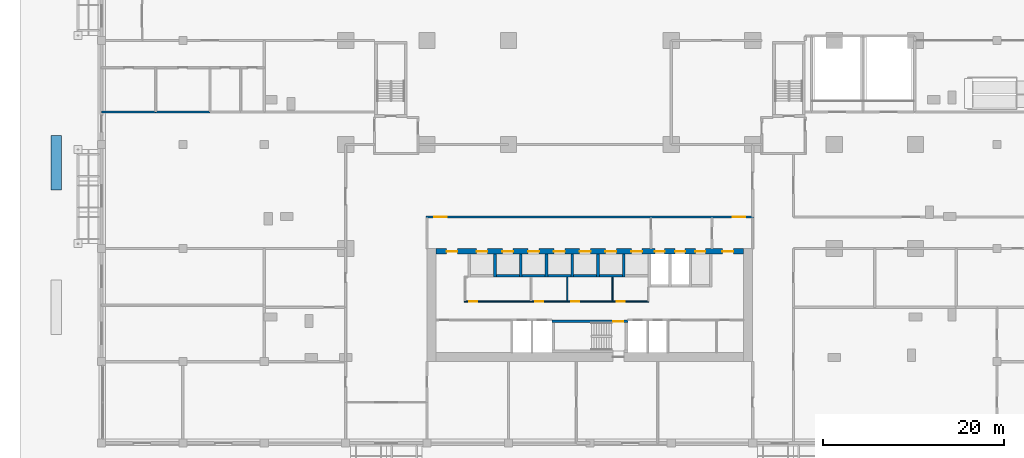
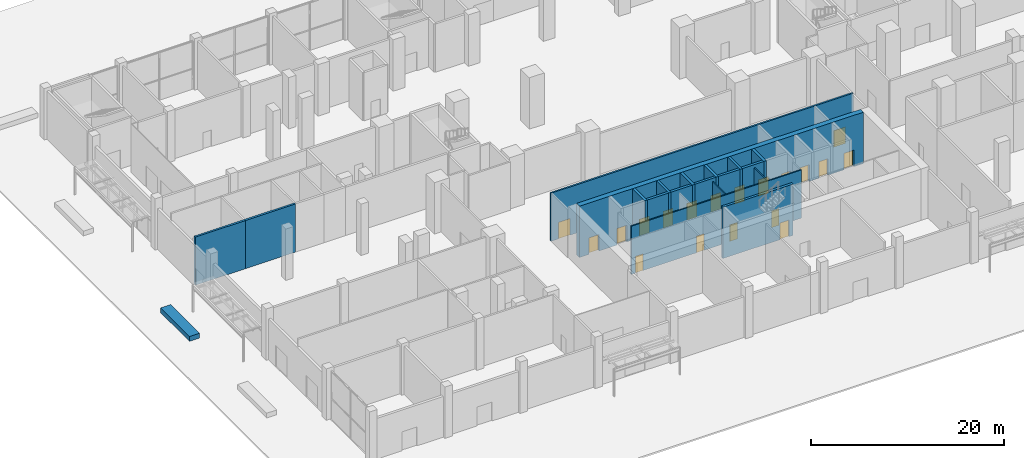
# One storey, part 30 of 39: 20 walls, 19 doors, 19 openings.
"""IFC4 building model written with IfcOpenShell, lengths in metres."""

import ifcopenshell
import ifcopenshell.guid

model = None  # the IFC model being written
_history = None  # IfcOwnerHistory: only IFC2X3 demands one
_inside = {}  # id of a spatial element -> (the spatial element, [elements in it])
_under = {}  # id of a project, library or spatial element -> (it, [spatial elements below it])
_declared = {}  # id of a project -> (the project, [libraries it declares])
_typed = {}  # id of a type object -> (the type object, [elements of that type])
_made_of = {}  # id of a material, layer set ... -> (it, [elements and type objects made of it])


def new_model(schema):
    """Start an empty IFC model of exactly this schema.

    Asked for "IFC4X3", IfcOpenShell would pick the latest addendum, in which some entities
    have other attributes; the version numbers below select the first issue.
    IFC2X3 requires an IfcOwnerHistory on every rooted entity: one is made here for all.
    """
    global model, _history
    if schema == "IFC4X3":
        model = ifcopenshell.file(schema_version=(4, 3, 0, 0))
    else:
        model = ifcopenshell.file(schema=schema)
    _inside.clear()
    _under.clear()
    _declared.clear()
    _typed.clear()
    _made_of.clear()
    _history = None
    if model.schema == "IFC2X3":
        org = make("IfcOrganization", Name="unknown")
        user = make(
            "IfcPersonAndOrganization",
            ThePerson=make("IfcPerson", FamilyName="unknown"),
            TheOrganization=org,
        )
        app = make(
            "IfcApplication",
            ApplicationDeveloper=org,
            Version="unknown",
            ApplicationFullName="unknown",
            ApplicationIdentifier="unknown",
        )
        _history = make(
            "IfcOwnerHistory",
            OwningUser=user,
            OwningApplication=app,
            ChangeAction="ADDED",
            CreationDate=0,
        )
    return model


def make(cls, **values):
    """One entity of the class cls with the attributes given. An attribute that is None is left unset."""
    return model.create_entity(
        cls, **{name: value for name, value in values.items() if value is not None}
    )


def rooted(cls, **values):
    """An entity with a GlobalId (a new one), such as an element, a storey or a relation."""
    return make(cls, GlobalId=ifcopenshell.guid.new(), OwnerHistory=_history, **values)


def si_unit(unit_type, name, prefix=None):
    """IfcSIUnit, for example si_unit("LENGTHUNIT", "METRE", prefix="MILLI")."""
    return make("IfcSIUnit", UnitType=unit_type, Prefix=prefix, Name=name)


def assignment(units):
    """IfcUnitAssignment: the units of a project."""
    return None if units is None else make("IfcUnitAssignment", Units=units)


def point(xyz):
    """IfcCartesianPoint."""
    return None if xyz is None else make("IfcCartesianPoint", Coordinates=xyz)


def direction(xyz):
    """IfcDirection."""
    return None if xyz is None else make("IfcDirection", DirectionRatios=xyz)


def frame(location, z_axis=None, x_axis=None):
    """IfcAxis2Placement3D, a coordinate frame: its origin and axes. An axis left out is left unset."""
    return make(
        "IfcAxis2Placement3D",
        Location=point(location),
        Axis=direction(z_axis),
        RefDirection=direction(x_axis),
    )


def frame_2d(location, x_axis=None):
    """IfcAxis2Placement2D, a coordinate frame in the plane: its origin and x axis."""
    return make(
        "IfcAxis2Placement2D", Location=point(location), RefDirection=direction(x_axis)
    )


def origin():
    """The frame at (0, 0, 0) with its axes left unset."""
    return frame((0.0, 0.0, 0.0))


def place(relative_to, where):
    """IfcLocalPlacement: puts the frame where relative to a parent placement (None: the world)."""
    return make(
        "IfcLocalPlacement", PlacementRelTo=relative_to, RelativePlacement=where
    )


def context(
    kind, dimensions, precision=None, world=None, true_north=None, identifier=None
):
    """IfcGeometricRepresentationContext, for example the 3D "Model" context."""
    return make(
        "IfcGeometricRepresentationContext",
        ContextIdentifier=identifier,
        ContextType=kind,
        CoordinateSpaceDimension=dimensions,
        Precision=precision,
        WorldCoordinateSystem=world,
        TrueNorth=true_north,
    )


def subcontext(parent, identifier, kind, view, scale=None):
    """IfcGeometricRepresentationSubContext, for example "Body" below "Model"."""
    return make(
        "IfcGeometricRepresentationSubContext",
        ContextIdentifier=identifier,
        ContextType=kind,
        ParentContext=parent,
        TargetScale=scale,
        TargetView=view,
    )


def project(units=None, contexts=None):
    """IfcProject with its units and contexts."""
    return rooted(
        "IfcProject",
        Name="project",
        RepresentationContexts=contexts,
        UnitsInContext=assignment(units),
    )


def spatial(cls, under=None, at=None, **own):
    """A site, building, storey or space (cls), placed at a placement, below another one or the project."""
    s = rooted(cls, ObjectPlacement=at, **own)
    if under is not None:
        _under.setdefault(under.id(), (under, []))[1].append(s)
    return s


def profile(cls, at=None, kind="AREA", **sizes):
    """A parametric profile (cls). Its sizes go by their IFC names, for example OverallWidth=200.0."""
    return make(cls, ProfileType=kind, Position=at, **sizes)


def rectangle(**sizes):
    """IfcRectangleProfileDef."""
    return profile("IfcRectangleProfileDef", **sizes)


def extrude(swept, where, along, depth):
    """IfcExtrudedAreaSolid: the profile swept, set in the frame where, extruded along a direction by depth."""
    return make(
        "IfcExtrudedAreaSolid",
        SweptArea=swept,
        Position=where,
        ExtrudedDirection=direction(along),
        Depth=depth,
    )


def shape(context_of_items, identifier, shape_type, items):
    """IfcShapeRepresentation: the items that make up one representation, for example the "Body"."""
    return make(
        "IfcShapeRepresentation",
        ContextOfItems=context_of_items,
        RepresentationIdentifier=identifier,
        RepresentationType=shape_type,
        Items=items,
    )


def material(Name=None, Category=None):
    """IfcMaterial."""
    return make("IfcMaterial", Name=Name, Category=Category)


def layer(
    of_material, thickness, ventilated=None, Name=None, Category=None, Priority=None
):
    """IfcMaterialLayer: one layer of a wall or slab, of a material (None: an air gap)."""
    return make(
        "IfcMaterialLayer",
        Material=of_material,
        LayerThickness=thickness,
        IsVentilated=ventilated,
        Name=Name,
        Category=Category,
        Priority=Priority,
    )


def layer_set(layers, Name=None):
    """IfcMaterialLayerSet."""
    return make("IfcMaterialLayerSet", MaterialLayers=layers, LayerSetName=Name)


def made_of(thing, what):
    """Note that an element or type object is made of a material, layer set ...; save() writes the relation."""
    if what is not None:
        _made_of.setdefault(what.id(), (what, []))[1].append(thing)
    return thing


def type_object(cls, material=None, **own):
    """A type object (cls), such as IfcWallType, which elements share."""
    return made_of(rooted(cls, **own), material)


def element(
    cls,
    number,
    at=None,
    inside=None,
    cuts=None,
    type_object=None,
    material=None,
    context=None,
    identifier="Body",
    shape_type=None,
    held_by="IfcProductDefinitionShape",
    body=None,
    shapes=None,
    **own,
):
    """One element of the class cls, such as IfcWall. Its Tag is "e" and its number.

    at: its placement. inside: the storey or other place that contains it. cuts: it is an
    opening in that element (IfcRelVoidsElement). A single representation is given by context,
    identifier, shape_type and body (its items); several are given by shapes. held_by: the class
    of the entity that holds the representations. save() writes the other relations.
    """
    e = rooted(cls, Tag="e%d" % number, ObjectPlacement=at, **own)
    if body is not None:
        shapes = [shape(context, identifier, shape_type, body)]
    if shapes is not None:
        e.Representation = make(held_by, Representations=shapes)
    if inside is not None:
        _inside.setdefault(inside.id(), (inside, []))[1].append(e)
    if cuts is not None:
        rooted(
            "IfcRelVoidsElement", RelatingBuildingElement=cuts, RelatedOpeningElement=e
        )
    if type_object is not None:
        _typed.setdefault(type_object.id(), (type_object, []))[1].append(e)
    return made_of(e, material)


def fill(opening, filler):
    """IfcRelFillsElement: the door or window that sits in an opening."""
    return rooted(
        "IfcRelFillsElement",
        RelatingOpeningElement=opening,
        RelatedBuildingElement=filler,
    )


def aggregate(whole, parts):
    """IfcRelAggregates: a whole, such as a stair, and the parts it consists of."""
    return rooted("IfcRelAggregates", RelatingObject=whole, RelatedObjects=parts)


def save(model, path):
    """Write the relations noted so far, then the file.

    IfcRelAggregates (storeys below a building ...), IfcRelContainedInSpatialStructure (elements
    in a storey), IfcRelDefinesByType, IfcRelAssociatesMaterial and IfcRelDeclares: one each for
    every whole, place, type object, material and project.
    """
    for whole, parts in _under.values():
        aggregate(whole, parts)
    for where, things in _inside.values():
        rooted(
            "IfcRelContainedInSpatialStructure",
            RelatedElements=things,
            RelatingStructure=where,
        )
    for kind, things in _typed.values():
        rooted("IfcRelDefinesByType", RelatedObjects=things, RelatingType=kind)
    for what, things in _made_of.values():
        rooted("IfcRelAssociatesMaterial", RelatedObjects=things, RelatingMaterial=what)
    for by, libraries in _declared.values():
        rooted("IfcRelDeclares", RelatingContext=by, RelatedDefinitions=libraries)
    model.write(path)


model = new_model("IFC4")

# Units and contexts
model_context = context("Model", 3, precision=1e-05, world=origin(), true_north=direction((0.0, 1.0)))
body_context = subcontext(model_context, "Body", "Model", "MODEL_VIEW")
ifc_project = project(units=[si_unit("LENGTHUNIT", "METRE"), si_unit("AREAUNIT", "SQUARE_METRE"), si_unit("VOLUMEUNIT", "CUBIC_METRE"), si_unit("PLANEANGLEUNIT", "RADIAN"), si_unit("MASSUNIT", "GRAM", prefix="KILO")], contexts=[model_context])

# Site, building, storey
site_placement = place(None, origin())
site = spatial("IfcSite", under=ifc_project, at=site_placement, CompositionType="ELEMENT")
building_placement = place(site_placement, origin())
building = spatial("IfcBuilding", under=site, at=building_placement, Name="Brigalow Station Residences", CompositionType="ELEMENT")
storey_placement = place(building_placement, origin())
storey = spatial("IfcBuildingStorey", under=building, at=storey_placement, Name="L00", CompositionType="ELEMENT", Elevation=0.0)

# Walls
ifc_material_1 = material(Name="Concrete C80", Category="concrete")
ifc_layer_1 = layer(ifc_material_1, 0.300048828125)
ifc_layer_set_1 = layer_set([ifc_layer_1], Name="CORE SHEAR WALL 300 C80")
wall_type_1 = type_object("IfcWallType", Name="CORE SHEAR WALL 300 C80", PredefinedType="SHEAR", material=ifc_layer_set_1)
wall_1_placement = place(storey_placement, frame((25.64990234375, 9.5, 0.0), z_axis=(0.0, 0.0, 1.0), x_axis=(1.0, 0.0, 0.0)))
element("IfcWall", 1, at=wall_1_placement, inside=storey, type_object=wall_type_1, Name="CORE WALL SH-P2-S L00", PredefinedType="SHEAR", context=body_context, shape_type="SweptSolid", body=[
    extrude(rectangle(XDim=2.550048828125, YDim=0.300048828125, at=frame_2d((1.27490234375, 0.0))), origin(), (0.0, 0.0, 1.0), 6.5),
])
wall_2_placement = place(storey_placement, frame((25.5, 9.35009765625, 0.0), z_axis=(0.0, 0.0, 1.0), x_axis=(0.0, 1.0, 0.0)))
element("IfcWall", 2, at=wall_2_placement, inside=storey, type_object=wall_type_1, Name="CORE WALL SH-P2-W L00", PredefinedType="SHEAR", context=body_context, shape_type="SweptSolid", body=[
    extrude(rectangle(XDim=2.5498046875, YDim=0.300048828125, at=frame_2d((1.27490234375, 0.0))), origin(), (0.0, 0.0, 1.0), 6.5),
])
wall_3_placement = place(storey_placement, frame((28.5, 9.5, 0.0), z_axis=(0.0, 0.0, 1.0), x_axis=(1.0, 0.0, 0.0)))
element("IfcWall", 3, at=wall_3_placement, inside=storey, type_object=wall_type_1, Name="CORE WALL SH-P3-S L00", PredefinedType="SHEAR", context=body_context, shape_type="SweptSolid", body=[
    extrude(rectangle(XDim=2.550048828125, YDim=0.300048828125, at=frame_2d((1.27490234375, 0.0))), origin(), (0.0, 0.0, 1.0), 6.5),
])
for number, where, z_axis, x_axis, name in (
    (4, (28.35009765625, 9.35009765625, 0.0), (0.0, 0.0, 1.0), (0.0, 1.0, 0.0), "CORE WALL SH-P3-W L00"),
    (5, (31.35009765625, 9.5, 0.0), (0.0, 0.0, 1.0), (1.0, 0.0, 0.0), "CORE WALL SH-P4-S L00"),
    (6, (31.199951171875, 9.35009765625, 0.0), (0.0, 0.0, 1.0), (0.0, 1.0, 0.0), "CORE WALL SH-P4-W L00"),
):
    element("IfcWall", number, at=place(storey_placement, frame(where, z_axis=z_axis, x_axis=x_axis)), inside=storey, type_object=wall_type_1, Name=name, PredefinedType="SHEAR", context=body_context, shape_type="SweptSolid", body=[
        extrude(rectangle(XDim=2.5498046875, YDim=0.300048828125, at=frame_2d((1.27490234375, 0.0))), origin(), (0.0, 0.0, 1.0), 6.5),
    ])
wall_4_placement = place(storey_placement, frame((34.199951171875, 9.5, 0.0), z_axis=(0.0, 0.0, 1.0), x_axis=(1.0, 0.0, 0.0)))
element("IfcWall", 7, at=wall_4_placement, inside=storey, type_object=wall_type_1, Name="CORE WALL SH-P5-S L00", PredefinedType="SHEAR", context=body_context, shape_type="SweptSolid", body=[
    extrude(rectangle(XDim=2.550048828125, YDim=0.300048828125, at=frame_2d((1.27490234375, 0.0))), origin(), (0.0, 0.0, 1.0), 6.5),
])
wall_5_placement = place(storey_placement, frame((34.050048828125, 9.35009765625, 0.0), z_axis=(0.0, 0.0, 1.0), x_axis=(0.0, 1.0, 0.0)))
element("IfcWall", 8, at=wall_5_placement, inside=storey, type_object=wall_type_1, Name="CORE WALL SH-P5-W L00", PredefinedType="SHEAR", context=body_context, shape_type="SweptSolid", body=[
    extrude(rectangle(XDim=2.5498046875, YDim=0.300048828125, at=frame_2d((1.27490234375, 0.0))), origin(), (0.0, 0.0, 1.0), 6.5),
])
wall_6_placement = place(storey_placement, frame((37.050048828125, 9.5, 0.0), z_axis=(0.0, 0.0, 1.0), x_axis=(1.0, 0.0, 0.0)))
element("IfcWall", 9, at=wall_6_placement, inside=storey, type_object=wall_type_1, Name="CORE WALL SH-X1-S L00", PredefinedType="SHEAR", context=body_context, shape_type="SweptSolid", body=[
    extrude(rectangle(XDim=2.550048828125, YDim=0.300048828125, at=frame_2d((1.27490234375, 0.0))), origin(), (0.0, 0.0, 1.0), 6.5),
])
for number, where, z_axis, x_axis, name in (
    (10, (36.89990234375, 9.35009765625, 0.0), (0.0, 0.0, 1.0), (0.0, 1.0, 0.0), "CORE WALL SH-X1-W L00"),
    (11, (39.75, 9.35009765625, 0.0), (0.0, 0.0, 1.0), (0.0, 1.0, 0.0), "CORE WALL SH-X2-W L00"),
):
    element("IfcWall", number, at=place(storey_placement, frame(where, z_axis=z_axis, x_axis=x_axis)), inside=storey, type_object=wall_type_1, Name=name, PredefinedType="SHEAR", context=body_context, shape_type="SweptSolid", body=[
        extrude(rectangle(XDim=2.5498046875, YDim=0.300048828125, at=frame_2d((1.27490234375, 0.0))), origin(), (0.0, 0.0, 1.0), 6.5),
    ])

# Wall, opening, door
wall_7_placement = place(storey_placement, frame((31.800048828125, 4.449951171875, 0.0), z_axis=(0.0, 0.0, 1.0), x_axis=(1.0, 0.0, 0.0)))
wall_7 = element("IfcWall", 12, at=wall_7_placement, inside=storey, type_object=wall_type_1, Name="CORE WALL ST-S2-N L00", PredefinedType="SHEAR", context=body_context, shape_type="SweptSolid", body=[
    extrude(rectangle(XDim=8.39990234375, YDim=0.300048828125, at=frame_2d((4.199951171875, 0.0))), origin(), (0.0, 0.0, 1.0), 6.5),
])
opening_1_placement = place(wall_7_placement, frame((6.800048828125, 0.0, 0.0)))
opening_1 = element("IfcOpeningElement", 13, at=opening_1_placement, cuts=wall_7, Name="Opening D-5001", PredefinedType="OPENING", context=body_context, shape_type="SweptSolid", body=[
    extrude(rectangle(XDim=1.10009765625, YDim=2.10009765625, at=frame_2d((0.550048828125, 1.050048828125))), frame((0.0, 0.16015625, 0.0), z_axis=(0.0, -1.0, 0.0), x_axis=(1.0, 0.0, 0.0)), (0.0, 0.0, 1.0), 0.320068359375),
])
ifc_material_2 = material(Name="Steel fire door leaf in steel frame", Category="steel")
door_type_1 = type_object("IfcDoorType", Name="STAIR DOOR 1100 x 2100 FD60S", OperationType="SINGLE_SWING_LEFT", PredefinedType="DOOR", material=ifc_material_2)
door_1_placement = place(opening_1_placement, frame((1.10009765625, 0.0, 0.0), z_axis=(0.0, 0.0, 1.0), x_axis=(-1.0, 0.0, 0.0)))
door_1 = element("IfcDoor", 14, at=door_1_placement, inside=storey, type_object=door_type_1, Name="D-5001", OperationType="SINGLE_SWING_LEFT", OverallHeight=2.10009765625, OverallWidth=1.10009765625, PredefinedType="DOOR", context=body_context, shape_type="SweptSolid", body=[
    extrude(rectangle(XDim=1.10009765625, YDim=2.10009765625, at=frame_2d((0.550048828125, 1.050048828125))), frame((0.0, 0.02490234375, 0.0), z_axis=(0.0, -1.0, 0.0), x_axis=(1.0, 0.0, 0.0)), (0.0, 0.0, 1.0), 0.050048828125),
])
fill(opening_1, door_1)

# Wall, openings, doors
ifc_material_3 = material(Name="Concrete C80", Category="concrete")
ifc_layer_2 = layer(ifc_material_3, 0.60009765625)
ifc_layer_set_2 = layer_set([ifc_layer_2], Name="CORE SHEAR WALL 600 C80")
wall_type_2 = type_object("IfcWallType", Name="CORE SHEAR WALL 600 C80", PredefinedType="SHEAR", material=ifc_layer_set_2)
wall_8_placement = place(storey_placement, frame((19.0, 12.199951171875, 0.0), z_axis=(0.0, 0.0, 1.0), x_axis=(1.0, 0.0, 0.0)))
wall_8 = element("IfcWall", 15, at=wall_8_placement, inside=storey, type_object=wall_type_2, Name="CORE WALL OUT-N L00", PredefinedType="SHEAR", context=body_context, shape_type="SweptSolid", body=[
    extrude(rectangle(XDim=34.0, YDim=0.60009765625, at=frame_2d((17.0, 0.0))), origin(), (0.0, 0.0, 1.0), 6.5),
])
opening_2_placement = place(wall_8_placement, frame((4.47509765625, 0.0, 0.0)))
opening_2 = element("IfcOpeningElement", 16, at=opening_2_placement, cuts=wall_8, Name="Opening LD-LA1", PredefinedType="OPENING", context=body_context, shape_type="SweptSolid", body=[
    extrude(rectangle(XDim=1.199951171875, YDim=2.10009765625, at=frame_2d((0.60009765625, 1.050048828125))), frame((0.0, 0.31005859375, 0.0), z_axis=(0.0, -1.0, 0.0), x_axis=(1.0, 0.0, 0.0)), (0.0, 0.0, 1.0), 0.6201171875),
])
opening_3_placement = place(wall_8_placement, frame((7.324951171875, 0.0, 0.0)))
opening_3 = element("IfcOpeningElement", 17, at=opening_3_placement, cuts=wall_8, Name="Opening LD-LA2", PredefinedType="OPENING", context=body_context, shape_type="SweptSolid", body=[
    extrude(rectangle(XDim=1.199951171875, YDim=2.10009765625, at=frame_2d((0.60009765625, 1.050048828125))), frame((0.0, 0.31005859375, 0.0), z_axis=(0.0, -1.0, 0.0), x_axis=(1.0, 0.0, 0.0)), (0.0, 0.0, 1.0), 0.6201171875),
])
opening_4_placement = place(wall_8_placement, frame((10.175048828125, 0.0, 0.0)))
opening_4 = element("IfcOpeningElement", 18, at=opening_4_placement, cuts=wall_8, Name="Opening LD-LA3", PredefinedType="OPENING", context=body_context, shape_type="SweptSolid", body=[
    extrude(rectangle(XDim=1.199951171875, YDim=2.10009765625, at=frame_2d((0.60009765625, 1.050048828125))), frame((0.0, 0.31005859375, 0.0), z_axis=(0.0, -1.0, 0.0), x_axis=(1.0, 0.0, 0.0)), (0.0, 0.0, 1.0), 0.6201171875),
])
opening_5_placement = place(wall_8_placement, frame((13.02490234375, 0.0, 0.0)))
opening_5 = element("IfcOpeningElement", 19, at=opening_5_placement, cuts=wall_8, Name="Opening LD-LA4", PredefinedType="OPENING", context=body_context, shape_type="SweptSolid", body=[
    extrude(rectangle(XDim=1.199951171875, YDim=2.10009765625, at=frame_2d((0.60009765625, 1.050048828125))), frame((0.0, 0.31005859375, 0.0), z_axis=(0.0, -1.0, 0.0), x_axis=(1.0, 0.0, 0.0)), (0.0, 0.0, 1.0), 0.6201171875),
])
opening_6_placement = place(wall_8_placement, frame((15.875, 0.0, 0.0)))
opening_6 = element("IfcOpeningElement", 20, at=opening_6_placement, cuts=wall_8, Name="Opening LD-LA5", PredefinedType="OPENING", context=body_context, shape_type="SweptSolid", body=[
    extrude(rectangle(XDim=1.199951171875, YDim=2.10009765625, at=frame_2d((0.60009765625, 1.050048828125))), frame((0.0, 0.31005859375, 0.0), z_axis=(0.0, -1.0, 0.0), x_axis=(1.0, 0.0, 0.0)), (0.0, 0.0, 1.0), 0.6201171875),
])
opening_7_placement = place(wall_8_placement, frame((18.72509765625, 0.0, 0.0)))
opening_7 = element("IfcOpeningElement", 21, at=opening_7_placement, cuts=wall_8, Name="Opening LD-LS1", PredefinedType="OPENING", context=body_context, shape_type="SweptSolid", body=[
    extrude(rectangle(XDim=1.199951171875, YDim=2.10009765625, at=frame_2d((0.60009765625, 1.050048828125))), frame((0.0, 0.31005859375, 0.0), z_axis=(0.0, -1.0, 0.0), x_axis=(1.0, 0.0, 0.0)), (0.0, 0.0, 1.0), 0.6201171875),
])
opening_8_placement = place(wall_8_placement, frame((21.574951171875, 0.0, 0.0)))
opening_8 = element("IfcOpeningElement", 22, at=opening_8_placement, cuts=wall_8, Name="Opening LD-LS2", PredefinedType="OPENING", context=body_context, shape_type="SweptSolid", body=[
    extrude(rectangle(XDim=1.199951171875, YDim=2.10009765625, at=frame_2d((0.60009765625, 1.050048828125))), frame((0.0, 0.31005859375, 0.0), z_axis=(0.0, -1.0, 0.0), x_axis=(1.0, 0.0, 0.0)), (0.0, 0.0, 1.0), 0.6201171875),
])
opening_9_placement = place(wall_8_placement, frame((24.175048828125, 0.0, 0.0)))
opening_9 = element("IfcOpeningElement", 23, at=opening_9_placement, cuts=wall_8, Name="Opening LD-LF1", PredefinedType="OPENING", context=body_context, shape_type="SweptSolid", body=[
    extrude(rectangle(XDim=1.10009765625, YDim=2.10009765625, at=frame_2d((0.550048828125, 1.050048828125))), frame((0.0, 0.31005859375, 0.0), z_axis=(0.0, -1.0, 0.0), x_axis=(1.0, 0.0, 0.0)), (0.0, 0.0, 1.0), 0.6201171875),
])
opening_10_placement = place(wall_8_placement, frame((26.425048828125, 0.0, 0.0)))
opening_10 = element("IfcOpeningElement", 24, at=opening_10_placement, cuts=wall_8, Name="Opening LD-LF2", PredefinedType="OPENING", context=body_context, shape_type="SweptSolid", body=[
    extrude(rectangle(XDim=1.10009765625, YDim=2.10009765625, at=frame_2d((0.550048828125, 1.050048828125))), frame((0.0, 0.31005859375, 0.0), z_axis=(0.0, -1.0, 0.0), x_axis=(1.0, 0.0, 0.0)), (0.0, 0.0, 1.0), 0.6201171875),
])
opening_11_placement = place(wall_8_placement, frame((28.675048828125, 0.0, 0.0)))
opening_11 = element("IfcOpeningElement", 25, at=opening_11_placement, cuts=wall_8, Name="Opening LD-LG1", PredefinedType="OPENING", context=body_context, shape_type="SweptSolid", body=[
    extrude(rectangle(XDim=1.10009765625, YDim=2.10009765625, at=frame_2d((0.550048828125, 1.050048828125))), frame((0.0, 0.31005859375, 0.0), z_axis=(0.0, -1.0, 0.0), x_axis=(1.0, 0.0, 0.0)), (0.0, 0.0, 1.0), 0.6201171875),
])
opening_12_placement = place(wall_8_placement, frame((1.14990234375, 0.0, 0.0)))
opening_12 = element("IfcOpeningElement", 26, at=opening_12_placement, cuts=wall_8, Name="Opening D-5011", PredefinedType="OPENING", context=body_context, shape_type="SweptSolid", body=[
    extrude(rectangle(XDim=1.199951171875, YDim=2.10009765625, at=frame_2d((0.60009765625, 1.050048828125))), frame((0.0, 0.31005859375, 0.0), z_axis=(0.0, -1.0, 0.0), x_axis=(1.0, 0.0, 0.0)), (0.0, 0.0, 1.0), 0.6201171875),
])
opening_13_placement = place(wall_8_placement, frame((31.64990234375, 0.0, 0.0)))
opening_13 = element("IfcOpeningElement", 27, at=opening_13_placement, cuts=wall_8, Name="Opening D-5012", PredefinedType="OPENING", context=body_context, shape_type="SweptSolid", body=[
    extrude(rectangle(XDim=1.199951171875, YDim=2.10009765625, at=frame_2d((0.60009765625, 1.050048828125))), frame((0.0, 0.31005859375, 0.0), z_axis=(0.0, -1.0, 0.0), x_axis=(1.0, 0.0, 0.0)), (0.0, 0.0, 1.0), 0.6201171875),
])
ifc_material_4 = material(Name="Steel fire door leaf in steel frame", Category="steel")
door_type_2 = type_object("IfcDoorType", Name="CORE CORRIDOR DOOR 1200 x 2100 FD60S", OperationType="SINGLE_SWING_LEFT", PredefinedType="DOOR", material=ifc_material_4)
door_2_placement = place(opening_12_placement, frame((1.199951171875, 0.0, 0.0), z_axis=(0.0, 0.0, 1.0), x_axis=(-1.0, 0.0, 0.0)))
door_2 = element("IfcDoor", 28, at=door_2_placement, inside=storey, type_object=door_type_2, Name="D-5011", OperationType="SINGLE_SWING_LEFT", OverallHeight=2.10009765625, OverallWidth=1.199951171875, PredefinedType="DOOR", context=body_context, shape_type="SweptSolid", body=[
    extrude(rectangle(XDim=1.199951171875, YDim=2.10009765625, at=frame_2d((0.60009765625, 1.050048828125))), frame((0.0, 0.02490234375, 0.0), z_axis=(0.0, -1.0, 0.0), x_axis=(1.0, 0.0, 0.0)), (0.0, 0.0, 1.0), 0.050048828125),
])
fill(opening_12, door_2)
door_3_placement = place(opening_13_placement, frame((1.199951171875, 0.0, 0.0), z_axis=(0.0, 0.0, 1.0), x_axis=(-1.0, 0.0, 0.0)))
door_3 = element("IfcDoor", 29, at=door_3_placement, inside=storey, type_object=door_type_2, Name="D-5012", OperationType="SINGLE_SWING_RIGHT", OverallHeight=2.10009765625, OverallWidth=1.199951171875, PredefinedType="DOOR", context=body_context, shape_type="SweptSolid", body=[
    extrude(rectangle(XDim=1.199951171875, YDim=2.10009765625, at=frame_2d((0.60009765625, 1.050048828125))), frame((0.0, 0.02490234375, 0.0), z_axis=(0.0, -1.0, 0.0), x_axis=(1.0, 0.0, 0.0)), (0.0, 0.0, 1.0), 0.050048828125),
])
fill(opening_13, door_3)
ifc_material_5 = material(Name="Stainless steel sliding door leaves", Category="steel")
door_type_3 = type_object("IfcDoorType", Name="LIFT LANDING DOOR 1100 x 2100", OperationType="DOUBLE_DOOR_SLIDING", PredefinedType="DOOR", material=ifc_material_5)
door_4_placement = place(opening_9_placement, origin())
door_4 = element("IfcDoor", 30, at=door_4_placement, inside=storey, type_object=door_type_3, Name="LANDING DOOR LF1", OperationType="DOUBLE_DOOR_SLIDING", OverallHeight=2.10009765625, OverallWidth=1.10009765625, PredefinedType="DOOR", context=body_context, shape_type="SweptSolid", body=[
    extrude(rectangle(XDim=1.10009765625, YDim=2.10009765625, at=frame_2d((0.550048828125, 1.050048828125))), frame((0.0, 0.02490234375, 0.0), z_axis=(0.0, -1.0, 0.0), x_axis=(1.0, 0.0, 0.0)), (0.0, 0.0, 1.0), 0.050048828125),
])
fill(opening_9, door_4)
door_5_placement = place(opening_10_placement, origin())
door_5 = element("IfcDoor", 31, at=door_5_placement, inside=storey, type_object=door_type_3, Name="LANDING DOOR LF2", OperationType="DOUBLE_DOOR_SLIDING", OverallHeight=2.10009765625, OverallWidth=1.10009765625, PredefinedType="DOOR", context=body_context, shape_type="SweptSolid", body=[
    extrude(rectangle(XDim=1.10009765625, YDim=2.10009765625, at=frame_2d((0.550048828125, 1.050048828125))), frame((0.0, 0.02490234375, 0.0), z_axis=(0.0, -1.0, 0.0), x_axis=(1.0, 0.0, 0.0)), (0.0, 0.0, 1.0), 0.050048828125),
])
fill(opening_10, door_5)
door_6_placement = place(opening_11_placement, origin())
door_6 = element("IfcDoor", 32, at=door_6_placement, inside=storey, type_object=door_type_3, Name="LANDING DOOR LG1", OperationType="DOUBLE_DOOR_SLIDING", OverallHeight=2.10009765625, OverallWidth=1.10009765625, PredefinedType="DOOR", context=body_context, shape_type="SweptSolid", body=[
    extrude(rectangle(XDim=1.10009765625, YDim=2.10009765625, at=frame_2d((0.550048828125, 1.050048828125))), frame((0.0, 0.02490234375, 0.0), z_axis=(0.0, -1.0, 0.0), x_axis=(1.0, 0.0, 0.0)), (0.0, 0.0, 1.0), 0.050048828125),
])
fill(opening_11, door_6)
ifc_material_6 = material(Name="Stainless steel sliding door leaves", Category="steel")
door_type_4 = type_object("IfcDoorType", Name="LIFT LANDING DOOR 1200 x 2100", OperationType="DOUBLE_DOOR_SLIDING", PredefinedType="DOOR", material=ifc_material_6)
door_7_placement = place(opening_2_placement, origin())
door_7 = element("IfcDoor", 33, at=door_7_placement, inside=storey, type_object=door_type_4, Name="LANDING DOOR LA1", OperationType="DOUBLE_DOOR_SLIDING", OverallHeight=2.10009765625, OverallWidth=1.199951171875, PredefinedType="DOOR", context=body_context, shape_type="SweptSolid", body=[
    extrude(rectangle(XDim=1.199951171875, YDim=2.10009765625, at=frame_2d((0.60009765625, 1.050048828125))), frame((0.0, 0.02490234375, 0.0), z_axis=(0.0, -1.0, 0.0), x_axis=(1.0, 0.0, 0.0)), (0.0, 0.0, 1.0), 0.050048828125),
])
fill(opening_2, door_7)
door_8_placement = place(opening_3_placement, origin())
door_8 = element("IfcDoor", 34, at=door_8_placement, inside=storey, type_object=door_type_4, Name="LANDING DOOR LA2", OperationType="DOUBLE_DOOR_SLIDING", OverallHeight=2.10009765625, OverallWidth=1.199951171875, PredefinedType="DOOR", context=body_context, shape_type="SweptSolid", body=[
    extrude(rectangle(XDim=1.199951171875, YDim=2.10009765625, at=frame_2d((0.60009765625, 1.050048828125))), frame((0.0, 0.02490234375, 0.0), z_axis=(0.0, -1.0, 0.0), x_axis=(1.0, 0.0, 0.0)), (0.0, 0.0, 1.0), 0.050048828125),
])
fill(opening_3, door_8)
door_9_placement = place(opening_4_placement, origin())
door_9 = element("IfcDoor", 35, at=door_9_placement, inside=storey, type_object=door_type_4, Name="LANDING DOOR LA3", OperationType="DOUBLE_DOOR_SLIDING", OverallHeight=2.10009765625, OverallWidth=1.199951171875, PredefinedType="DOOR", context=body_context, shape_type="SweptSolid", body=[
    extrude(rectangle(XDim=1.199951171875, YDim=2.10009765625, at=frame_2d((0.60009765625, 1.050048828125))), frame((0.0, 0.02490234375, 0.0), z_axis=(0.0, -1.0, 0.0), x_axis=(1.0, 0.0, 0.0)), (0.0, 0.0, 1.0), 0.050048828125),
])
fill(opening_4, door_9)
door_10_placement = place(opening_5_placement, origin())
door_10 = element("IfcDoor", 36, at=door_10_placement, inside=storey, type_object=door_type_4, Name="LANDING DOOR LA4", OperationType="DOUBLE_DOOR_SLIDING", OverallHeight=2.10009765625, OverallWidth=1.199951171875, PredefinedType="DOOR", context=body_context, shape_type="SweptSolid", body=[
    extrude(rectangle(XDim=1.199951171875, YDim=2.10009765625, at=frame_2d((0.60009765625, 1.050048828125))), frame((0.0, 0.02490234375, 0.0), z_axis=(0.0, -1.0, 0.0), x_axis=(1.0, 0.0, 0.0)), (0.0, 0.0, 1.0), 0.050048828125),
])
fill(opening_5, door_10)
door_11_placement = place(opening_6_placement, origin())
door_11 = element("IfcDoor", 37, at=door_11_placement, inside=storey, type_object=door_type_4, Name="LANDING DOOR LA5", OperationType="DOUBLE_DOOR_SLIDING", OverallHeight=2.10009765625, OverallWidth=1.199951171875, PredefinedType="DOOR", context=body_context, shape_type="SweptSolid", body=[
    extrude(rectangle(XDim=1.199951171875, YDim=2.10009765625, at=frame_2d((0.60009765625, 1.050048828125))), frame((0.0, 0.02490234375, 0.0), z_axis=(0.0, -1.0, 0.0), x_axis=(1.0, 0.0, 0.0)), (0.0, 0.0, 1.0), 0.050048828125),
])
fill(opening_6, door_11)
door_12_placement = place(opening_7_placement, origin())
door_12 = element("IfcDoor", 38, at=door_12_placement, inside=storey, type_object=door_type_4, Name="LANDING DOOR LS1", OperationType="DOUBLE_DOOR_SLIDING", OverallHeight=2.10009765625, OverallWidth=1.199951171875, PredefinedType="DOOR", context=body_context, shape_type="SweptSolid", body=[
    extrude(rectangle(XDim=1.199951171875, YDim=2.10009765625, at=frame_2d((0.60009765625, 1.050048828125))), frame((0.0, 0.02490234375, 0.0), z_axis=(0.0, -1.0, 0.0), x_axis=(1.0, 0.0, 0.0)), (0.0, 0.0, 1.0), 0.050048828125),
])
fill(opening_7, door_12)
door_13_placement = place(opening_8_placement, origin())
door_13 = element("IfcDoor", 39, at=door_13_placement, inside=storey, type_object=door_type_4, Name="LANDING DOOR LS2", OperationType="DOUBLE_DOOR_SLIDING", OverallHeight=2.10009765625, OverallWidth=1.199951171875, PredefinedType="DOOR", context=body_context, shape_type="SweptSolid", body=[
    extrude(rectangle(XDim=1.199951171875, YDim=2.10009765625, at=frame_2d((0.60009765625, 1.050048828125))), frame((0.0, 0.02490234375, 0.0), z_axis=(0.0, -1.0, 0.0), x_axis=(1.0, 0.0, 0.0)), (0.0, 0.0, 1.0), 0.050048828125),
])
fill(opening_8, door_13)

# Walls
ifc_material_7 = material(Name="Fire-rated plasterboard on steel studs", Category="steel")
ifc_layer_3 = layer(ifc_material_7, 0.25)
ifc_layer_set_3 = layer_set([ifc_layer_3], Name="FIRE PARTITION 250")
wall_type_3 = type_object("IfcWallType", Name="FIRE PARTITION 250", PredefinedType="PARTITIONING", material=ifc_layer_set_3)
for number, where, z_axis, x_axis, name in (
    (40, (-18.0, 27.60009765625, 0.0), (0.0, 0.0, 1.0), (1.0, 0.0, 0.0), "Fire Partition 250 Stair S1 Exit Passage / Women'S Wc"),
    (41, (-12.0, 27.60009765625, 0.0), (0.0, 0.0, 1.0), (1.0, 0.0, 0.0), "Fire Partition 250 Stair S1 Exit Passage / Men'S Wc"),
):
    element("IfcWall", number, at=place(storey_placement, frame(where, z_axis=z_axis, x_axis=x_axis)), inside=storey, type_object=wall_type_3, Name=name, PredefinedType="PARTITIONING", context=body_context, shape_type="SweptSolid", body=[
        extrude(rectangle(XDim=6.0, YDim=0.25, at=frame_2d((3.0, 0.0))), origin(), (0.0, 0.0, 1.0), 6.097900390625),
    ])

# Wall, openings, doors
ifc_material_8 = material(Name="Concrete blockwork", Category="masonry")
ifc_layer_4 = layer(ifc_material_8, 0.199951171875)
ifc_layer_set_4 = layer_set([ifc_layer_4], Name="FIRE RATED CORE PARTITION 200")
wall_type_4 = type_object("IfcWallType", Name="FIRE RATED CORE PARTITION 200", PredefinedType="PARTITIONING", material=ifc_layer_set_4)
wall_9_placement = place(storey_placement, frame((17.89990234375, 16.0, 0.0), z_axis=(0.0, 0.0, 1.0), x_axis=(1.0, 0.0, 0.0)))
wall_9 = element("IfcWall", 42, at=wall_9_placement, inside=storey, type_object=wall_type_4, Name="PW-5038", PredefinedType="PARTITIONING", context=body_context, shape_type="SweptSolid", body=[
    extrude(rectangle(XDim=36.2001953125, YDim=0.199951171875, at=frame_2d((18.10009765625, 0.0))), origin(), (0.0, 0.0, 1.0), 6.097900390625),
])
opening_14_placement = place(wall_9_placement, frame((0.89990234375, 0.0, 0.0)))
opening_14 = element("IfcOpeningElement", 43, at=opening_14_placement, cuts=wall_9, Name="Opening D-5029", PredefinedType="OPENING", context=body_context, shape_type="SweptSolid", body=[
    extrude(rectangle(XDim=1.39990234375, YDim=2.10009765625, at=frame_2d((0.699951171875, 1.050048828125))), frame((0.0, 0.10986328125, 0.0), z_axis=(0.0, -1.0, 0.0), x_axis=(1.0, 0.0, 0.0)), (0.0, 0.0, 1.0), 0.219970703125),
])
opening_15_placement = place(wall_9_placement, frame((33.89990234375, 0.0, 0.0)))
opening_15 = element("IfcOpeningElement", 44, at=opening_15_placement, cuts=wall_9, Name="Opening D-5030", PredefinedType="OPENING", context=body_context, shape_type="SweptSolid", body=[
    extrude(rectangle(XDim=1.39990234375, YDim=2.10009765625, at=frame_2d((0.699951171875, 1.050048828125))), frame((0.0, 0.10986328125, 0.0), z_axis=(0.0, -1.0, 0.0), x_axis=(1.0, 0.0, 0.0)), (0.0, 0.0, 1.0), 0.219970703125),
])
ifc_material_9 = material(Name="Steel fire door leaves in steel frame", Category="steel")
door_type_5 = type_object("IfcDoorType", Name="CORRIDOR FIRE DOOR 1400 x 2100 FD60S", OperationType="SINGLE_SWING_LEFT", PredefinedType="DOOR", material=ifc_material_9)
door_14_placement = place(opening_14_placement, frame((1.39990234375, 0.0, 0.0), z_axis=(0.0, 0.0, 1.0), x_axis=(-1.0, 0.0, 0.0)))
door_14 = element("IfcDoor", 45, at=door_14_placement, inside=storey, type_object=door_type_5, Name="D-5029", OperationType="SINGLE_SWING_RIGHT", OverallHeight=2.10009765625, OverallWidth=1.39990234375, PredefinedType="DOOR", context=body_context, shape_type="SweptSolid", body=[
    extrude(rectangle(XDim=1.39990234375, YDim=2.10009765625, at=frame_2d((0.699951171875, 1.050048828125))), frame((0.0, 0.02490234375, 0.0), z_axis=(0.0, -1.0, 0.0), x_axis=(1.0, 0.0, 0.0)), (0.0, 0.0, 1.0), 0.050048828125),
])
fill(opening_14, door_14)
door_15_placement = place(opening_15_placement, origin())
door_15 = element("IfcDoor", 46, at=door_15_placement, inside=storey, type_object=door_type_5, Name="D-5030", OperationType="SINGLE_SWING_RIGHT", OverallHeight=2.10009765625, OverallWidth=1.39990234375, PredefinedType="DOOR", context=body_context, shape_type="SweptSolid", body=[
    extrude(rectangle(XDim=1.39990234375, YDim=2.10009765625, at=frame_2d((0.699951171875, 1.050048828125))), frame((0.0, 0.02490234375, 0.0), z_axis=(0.0, -1.0, 0.0), x_axis=(1.0, 0.0, 0.0)), (0.0, 0.0, 1.0), 0.050048828125),
])
fill(opening_15, door_15)

# Wall
ifc_material_10 = material(Name="Concrete C50", Category="concrete")
ifc_layer_5 = layer(ifc_material_10, 1.199951171875)
ifc_layer_set_5 = layer_set([ifc_layer_5], Name="PLANTER 1200")
wall_type_5 = type_object("IfcWallType", Name="PLANTER 1200", PredefinedType="USERDEFINED", material=ifc_layer_set_5)
wall_10_placement = place(storey_placement, frame((-23.0, 19.0, 0.0), z_axis=(0.0, 0.0, 1.0), x_axis=(0.0, 1.0, 0.0)))
element("IfcWall", 47, at=wall_10_placement, inside=storey, type_object=wall_type_5, Name="Planter WEST-2", ObjectType="PLANTER", PredefinedType="USERDEFINED", context=body_context, shape_type="SweptSolid", body=[
    extrude(rectangle(XDim=6.0, YDim=1.199951171875, at=frame_2d((3.0, 0.0))), origin(), (0.0, 0.0, 1.0), 0.60009765625),
])

# Wall, openings, doors
ifc_material_11 = material(Name="Plasterboard on steel studs", Category="steel")
ifc_layer_6 = layer(ifc_material_11, 0.14990234375)
ifc_layer_set_6 = layer_set([ifc_layer_6], Name="SERVICE ROOM PARTITION 150")
wall_type_6 = type_object("IfcWallType", Name="SERVICE ROOM PARTITION 150", PredefinedType="PARTITIONING", material=ifc_layer_set_6)
wall_11_placement = place(storey_placement, frame((22.125, 6.64990234375, 0.0), z_axis=(0.0, 0.0, 1.0), x_axis=(1.0, 0.0, 0.0)))
wall_11 = element("IfcWall", 48, at=wall_11_placement, inside=storey, type_object=wall_type_6, Name="PW-5021", PredefinedType="PARTITIONING", context=body_context, shape_type="SweptSolid", body=[
    extrude(rectangle(XDim=20.39990234375, YDim=0.14990234375, at=frame_2d((10.199951171875, 0.0))), origin(), (0.0, 0.0, 1.0), 6.097900390625),
])
opening_16_placement = place(wall_11_placement, frame((0.52490234375, 0.0, 0.0)))
opening_16 = element("IfcOpeningElement", 49, at=opening_16_placement, cuts=wall_11, Name="Opening D-5021", PredefinedType="OPENING", context=body_context, shape_type="SweptSolid", body=[
    extrude(rectangle(XDim=0.89990234375, YDim=2.10009765625, at=frame_2d((0.449951171875, 1.050048828125))), frame((0.0, 0.0849609375, 0.0), z_axis=(0.0, -1.0, 0.0), x_axis=(1.0, 0.0, 0.0)), (0.0, 0.0, 1.0), 0.169921875),
])
opening_17_placement = place(wall_11_placement, frame((7.824951171875, 0.0, 0.0)))
opening_17 = element("IfcOpeningElement", 50, at=opening_17_placement, cuts=wall_11, Name="Opening D-5022", PredefinedType="OPENING", context=body_context, shape_type="SweptSolid", body=[
    extrude(rectangle(XDim=0.89990234375, YDim=2.10009765625, at=frame_2d((0.449951171875, 1.050048828125))), frame((0.0, 0.0849609375, 0.0), z_axis=(0.0, -1.0, 0.0), x_axis=(1.0, 0.0, 0.0)), (0.0, 0.0, 1.0), 0.169921875),
])
opening_18_placement = place(wall_11_placement, frame((11.824951171875, 0.0, 0.0)))
opening_18 = element("IfcOpeningElement", 51, at=opening_18_placement, cuts=wall_11, Name="Opening D-5023", PredefinedType="OPENING", context=body_context, shape_type="SweptSolid", body=[
    extrude(rectangle(XDim=0.89990234375, YDim=2.10009765625, at=frame_2d((0.449951171875, 1.050048828125))), frame((0.0, 0.0849609375, 0.0), z_axis=(0.0, -1.0, 0.0), x_axis=(1.0, 0.0, 0.0)), (0.0, 0.0, 1.0), 0.169921875),
])
opening_19_placement = place(wall_11_placement, frame((16.824951171875, 0.0, 0.0)))
opening_19 = element("IfcOpeningElement", 52, at=opening_19_placement, cuts=wall_11, Name="Opening D-5024", PredefinedType="OPENING", context=body_context, shape_type="SweptSolid", body=[
    extrude(rectangle(XDim=0.89990234375, YDim=2.10009765625, at=frame_2d((0.449951171875, 1.050048828125))), frame((0.0, 0.0849609375, 0.0), z_axis=(0.0, -1.0, 0.0), x_axis=(1.0, 0.0, 0.0)), (0.0, 0.0, 1.0), 0.169921875),
])
ifc_material_12 = material(Name="Steel door leaf in steel frame", Category="steel")
door_type_6 = type_object("IfcDoorType", Name="SERVICE ROOM DOOR 900 x 2100 FD60", OperationType="SINGLE_SWING_LEFT", PredefinedType="DOOR", material=ifc_material_12)
door_16_placement = place(opening_16_placement, origin())
door_16 = element("IfcDoor", 53, at=door_16_placement, inside=storey, type_object=door_type_6, Name="D-5021", OperationType="SINGLE_SWING_LEFT", OverallHeight=2.10009765625, OverallWidth=0.89990234375, PredefinedType="DOOR", context=body_context, shape_type="SweptSolid", body=[
    extrude(rectangle(XDim=0.89990234375, YDim=2.10009765625, at=frame_2d((0.449951171875, 1.050048828125))), frame((0.0, 0.02490234375, 0.0), z_axis=(0.0, -1.0, 0.0), x_axis=(1.0, 0.0, 0.0)), (0.0, 0.0, 1.0), 0.050048828125),
])
fill(opening_16, door_16)
door_17_placement = place(opening_17_placement, origin())
door_17 = element("IfcDoor", 54, at=door_17_placement, inside=storey, type_object=door_type_6, Name="D-5022", OperationType="SINGLE_SWING_LEFT", OverallHeight=2.10009765625, OverallWidth=0.89990234375, PredefinedType="DOOR", context=body_context, shape_type="SweptSolid", body=[
    extrude(rectangle(XDim=0.89990234375, YDim=2.10009765625, at=frame_2d((0.449951171875, 1.050048828125))), frame((0.0, 0.02490234375, 0.0), z_axis=(0.0, -1.0, 0.0), x_axis=(1.0, 0.0, 0.0)), (0.0, 0.0, 1.0), 0.050048828125),
])
fill(opening_17, door_17)
door_18_placement = place(opening_18_placement, origin())
door_18 = element("IfcDoor", 55, at=door_18_placement, inside=storey, type_object=door_type_6, Name="D-5023", OperationType="SINGLE_SWING_LEFT", OverallHeight=2.10009765625, OverallWidth=0.89990234375, PredefinedType="DOOR", context=body_context, shape_type="SweptSolid", body=[
    extrude(rectangle(XDim=0.89990234375, YDim=2.10009765625, at=frame_2d((0.449951171875, 1.050048828125))), frame((0.0, 0.02490234375, 0.0), z_axis=(0.0, -1.0, 0.0), x_axis=(1.0, 0.0, 0.0)), (0.0, 0.0, 1.0), 0.050048828125),
])
fill(opening_18, door_18)
door_19_placement = place(opening_19_placement, origin())
door_19 = element("IfcDoor", 56, at=door_19_placement, inside=storey, type_object=door_type_6, Name="D-5024", OperationType="SINGLE_SWING_LEFT", OverallHeight=2.10009765625, OverallWidth=0.89990234375, PredefinedType="DOOR", context=body_context, shape_type="SweptSolid", body=[
    extrude(rectangle(XDim=0.89990234375, YDim=2.10009765625, at=frame_2d((0.449951171875, 1.050048828125))), frame((0.0, 0.02490234375, 0.0), z_axis=(0.0, -1.0, 0.0), x_axis=(1.0, 0.0, 0.0)), (0.0, 0.0, 1.0), 0.050048828125),
])
fill(opening_19, door_19)

# Walls
for number, where, z_axis, x_axis, name in (
    (57, (33.5, 6.72509765625, 0.0), (0.0, 0.0, 1.0), (0.0, 1.0, 0.0), "PW-5032"),
    (58, (38.5, 6.72509765625, 0.0), (0.0, 0.0, 1.0), (0.0, 1.0, 0.0), "PW-5033"),
):
    element("IfcWall", number, at=place(storey_placement, frame(where, z_axis=z_axis, x_axis=x_axis)), inside=storey, type_object=wall_type_6, Name=name, PredefinedType="PARTITIONING", context=body_context, shape_type="SweptSolid", body=[
        extrude(rectangle(XDim=2.625, YDim=0.14990234375, at=frame_2d((1.3125, 0.0))), origin(), (0.0, 0.0, 1.0), 6.097900390625),
    ])

save(model, "model.ifc")
